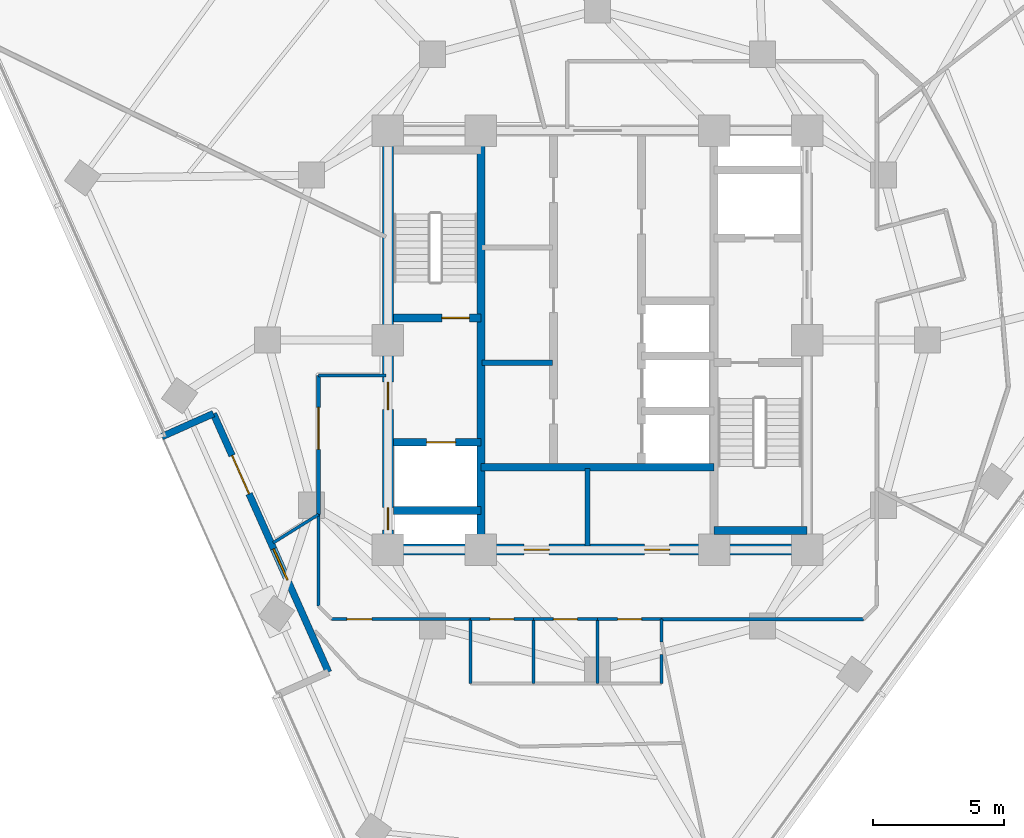
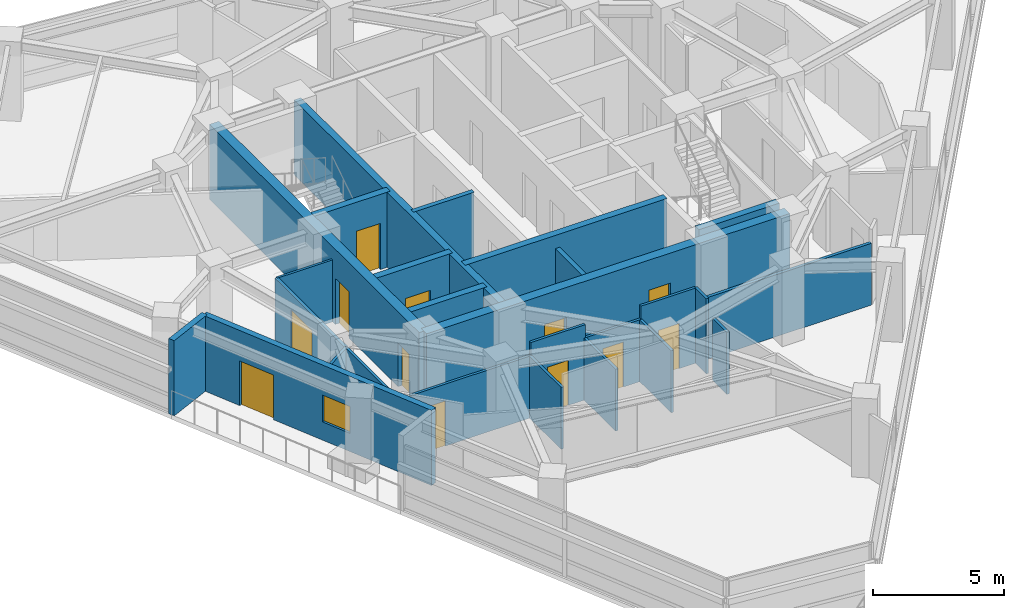
# One storey, part 8 of 14: 26 walls, 12 doors, 1 window, 13 openings.
"""IFC4 building model written with IfcOpenShell, lengths in metres."""

import ifcopenshell
import ifcopenshell.guid

model = None  # the IFC model being written
_history = None  # IfcOwnerHistory: only IFC2X3 demands one
_inside = {}  # id of a spatial element -> (the spatial element, [elements in it])
_under = {}  # id of a project, library or spatial element -> (it, [spatial elements below it])
_declared = {}  # id of a project -> (the project, [libraries it declares])
_typed = {}  # id of a type object -> (the type object, [elements of that type])
_made_of = {}  # id of a material, layer set ... -> (it, [elements and type objects made of it])


def new_model(schema):
    """Start an empty IFC model of exactly this schema.

    Asked for "IFC4X3", IfcOpenShell would pick the latest addendum, in which some entities
    have other attributes; the version numbers below select the first issue.
    IFC2X3 requires an IfcOwnerHistory on every rooted entity: one is made here for all.
    """
    global model, _history
    if schema == "IFC4X3":
        model = ifcopenshell.file(schema_version=(4, 3, 0, 0))
    else:
        model = ifcopenshell.file(schema=schema)
    _inside.clear()
    _under.clear()
    _declared.clear()
    _typed.clear()
    _made_of.clear()
    _history = None
    if model.schema == "IFC2X3":
        org = make("IfcOrganization", Name="unknown")
        user = make(
            "IfcPersonAndOrganization",
            ThePerson=make("IfcPerson", FamilyName="unknown"),
            TheOrganization=org,
        )
        app = make(
            "IfcApplication",
            ApplicationDeveloper=org,
            Version="unknown",
            ApplicationFullName="unknown",
            ApplicationIdentifier="unknown",
        )
        _history = make(
            "IfcOwnerHistory",
            OwningUser=user,
            OwningApplication=app,
            ChangeAction="ADDED",
            CreationDate=0,
        )
    return model


def make(cls, **values):
    """One entity of the class cls with the attributes given. An attribute that is None is left unset."""
    return model.create_entity(
        cls, **{name: value for name, value in values.items() if value is not None}
    )


def rooted(cls, **values):
    """An entity with a GlobalId (a new one), such as an element, a storey or a relation."""
    return make(cls, GlobalId=ifcopenshell.guid.new(), OwnerHistory=_history, **values)


def si_unit(unit_type, name, prefix=None):
    """IfcSIUnit, for example si_unit("LENGTHUNIT", "METRE", prefix="MILLI")."""
    return make("IfcSIUnit", UnitType=unit_type, Prefix=prefix, Name=name)


def assignment(units):
    """IfcUnitAssignment: the units of a project."""
    return None if units is None else make("IfcUnitAssignment", Units=units)


def point(xyz):
    """IfcCartesianPoint."""
    return None if xyz is None else make("IfcCartesianPoint", Coordinates=xyz)


def direction(xyz):
    """IfcDirection."""
    return None if xyz is None else make("IfcDirection", DirectionRatios=xyz)


def frame(location, z_axis=None, x_axis=None):
    """IfcAxis2Placement3D, a coordinate frame: its origin and axes. An axis left out is left unset."""
    return make(
        "IfcAxis2Placement3D",
        Location=point(location),
        Axis=direction(z_axis),
        RefDirection=direction(x_axis),
    )


def frame_2d(location, x_axis=None):
    """IfcAxis2Placement2D, a coordinate frame in the plane: its origin and x axis."""
    return make(
        "IfcAxis2Placement2D", Location=point(location), RefDirection=direction(x_axis)
    )


def origin():
    """The frame at (0, 0, 0) with its axes left unset."""
    return frame((0.0, 0.0, 0.0))


def place(relative_to, where):
    """IfcLocalPlacement: puts the frame where relative to a parent placement (None: the world)."""
    return make(
        "IfcLocalPlacement", PlacementRelTo=relative_to, RelativePlacement=where
    )


def context(
    kind, dimensions, precision=None, world=None, true_north=None, identifier=None
):
    """IfcGeometricRepresentationContext, for example the 3D "Model" context."""
    return make(
        "IfcGeometricRepresentationContext",
        ContextIdentifier=identifier,
        ContextType=kind,
        CoordinateSpaceDimension=dimensions,
        Precision=precision,
        WorldCoordinateSystem=world,
        TrueNorth=true_north,
    )


def subcontext(parent, identifier, kind, view, scale=None):
    """IfcGeometricRepresentationSubContext, for example "Body" below "Model"."""
    return make(
        "IfcGeometricRepresentationSubContext",
        ContextIdentifier=identifier,
        ContextType=kind,
        ParentContext=parent,
        TargetScale=scale,
        TargetView=view,
    )


def project(units=None, contexts=None):
    """IfcProject with its units and contexts."""
    return rooted(
        "IfcProject",
        Name="project",
        RepresentationContexts=contexts,
        UnitsInContext=assignment(units),
    )


def spatial(cls, under=None, at=None, **own):
    """A site, building, storey or space (cls), placed at a placement, below another one or the project."""
    s = rooted(cls, ObjectPlacement=at, **own)
    if under is not None:
        _under.setdefault(under.id(), (under, []))[1].append(s)
    return s


def profile(cls, at=None, kind="AREA", **sizes):
    """A parametric profile (cls). Its sizes go by their IFC names, for example OverallWidth=200.0."""
    return make(cls, ProfileType=kind, Position=at, **sizes)


def rectangle(**sizes):
    """IfcRectangleProfileDef."""
    return profile("IfcRectangleProfileDef", **sizes)


def extrude(swept, where, along, depth):
    """IfcExtrudedAreaSolid: the profile swept, set in the frame where, extruded along a direction by depth."""
    return make(
        "IfcExtrudedAreaSolid",
        SweptArea=swept,
        Position=where,
        ExtrudedDirection=direction(along),
        Depth=depth,
    )


def shape(context_of_items, identifier, shape_type, items):
    """IfcShapeRepresentation: the items that make up one representation, for example the "Body"."""
    return make(
        "IfcShapeRepresentation",
        ContextOfItems=context_of_items,
        RepresentationIdentifier=identifier,
        RepresentationType=shape_type,
        Items=items,
    )


def material(Name=None, Category=None):
    """IfcMaterial."""
    return make("IfcMaterial", Name=Name, Category=Category)


def layer(
    of_material, thickness, ventilated=None, Name=None, Category=None, Priority=None
):
    """IfcMaterialLayer: one layer of a wall or slab, of a material (None: an air gap)."""
    return make(
        "IfcMaterialLayer",
        Material=of_material,
        LayerThickness=thickness,
        IsVentilated=ventilated,
        Name=Name,
        Category=Category,
        Priority=Priority,
    )


def layer_set(layers, Name=None):
    """IfcMaterialLayerSet."""
    return make("IfcMaterialLayerSet", MaterialLayers=layers, LayerSetName=Name)


def made_of(thing, what):
    """Note that an element or type object is made of a material, layer set ...; save() writes the relation."""
    if what is not None:
        _made_of.setdefault(what.id(), (what, []))[1].append(thing)
    return thing


def type_object(cls, material=None, **own):
    """A type object (cls), such as IfcWallType, which elements share."""
    return made_of(rooted(cls, **own), material)


def element(
    cls,
    number,
    at=None,
    inside=None,
    cuts=None,
    type_object=None,
    material=None,
    context=None,
    identifier="Body",
    shape_type=None,
    held_by="IfcProductDefinitionShape",
    body=None,
    shapes=None,
    **own,
):
    """One element of the class cls, such as IfcWall. Its Tag is "e" and its number.

    at: its placement. inside: the storey or other place that contains it. cuts: it is an
    opening in that element (IfcRelVoidsElement). A single representation is given by context,
    identifier, shape_type and body (its items); several are given by shapes. held_by: the class
    of the entity that holds the representations. save() writes the other relations.
    """
    e = rooted(cls, Tag="e%d" % number, ObjectPlacement=at, **own)
    if body is not None:
        shapes = [shape(context, identifier, shape_type, body)]
    if shapes is not None:
        e.Representation = make(held_by, Representations=shapes)
    if inside is not None:
        _inside.setdefault(inside.id(), (inside, []))[1].append(e)
    if cuts is not None:
        rooted(
            "IfcRelVoidsElement", RelatingBuildingElement=cuts, RelatedOpeningElement=e
        )
    if type_object is not None:
        _typed.setdefault(type_object.id(), (type_object, []))[1].append(e)
    return made_of(e, material)


def fill(opening, filler):
    """IfcRelFillsElement: the door or window that sits in an opening."""
    return rooted(
        "IfcRelFillsElement",
        RelatingOpeningElement=opening,
        RelatedBuildingElement=filler,
    )


def aggregate(whole, parts):
    """IfcRelAggregates: a whole, such as a stair, and the parts it consists of."""
    return rooted("IfcRelAggregates", RelatingObject=whole, RelatedObjects=parts)


def save(model, path):
    """Write the relations noted so far, then the file.

    IfcRelAggregates (storeys below a building ...), IfcRelContainedInSpatialStructure (elements
    in a storey), IfcRelDefinesByType, IfcRelAssociatesMaterial and IfcRelDeclares: one each for
    every whole, place, type object, material and project.
    """
    for whole, parts in _under.values():
        aggregate(whole, parts)
    for where, things in _inside.values():
        rooted(
            "IfcRelContainedInSpatialStructure",
            RelatedElements=things,
            RelatingStructure=where,
        )
    for kind, things in _typed.values():
        rooted("IfcRelDefinesByType", RelatedObjects=things, RelatingType=kind)
    for what, things in _made_of.values():
        rooted("IfcRelAssociatesMaterial", RelatedObjects=things, RelatingMaterial=what)
    for by, libraries in _declared.values():
        rooted("IfcRelDeclares", RelatingContext=by, RelatedDefinitions=libraries)
    model.write(path)


model = new_model("IFC4")

# Units and contexts
model_context = context("Model", 3, precision=1e-05, world=origin(), true_north=direction((0.0, 1.0)))
body_context = subcontext(model_context, "Body", "Model", "MODEL_VIEW")
ifc_project = project(units=[si_unit("LENGTHUNIT", "METRE"), si_unit("AREAUNIT", "SQUARE_METRE"), si_unit("VOLUMEUNIT", "CUBIC_METRE"), si_unit("PLANEANGLEUNIT", "RADIAN"), si_unit("MASSUNIT", "GRAM", prefix="KILO")], contexts=[model_context])

# Site, building, storey
site_placement = place(None, origin())
site = spatial("IfcSite", under=ifc_project, at=site_placement, CompositionType="ELEMENT")
building_placement = place(site_placement, origin())
building = spatial("IfcBuilding", under=site, at=building_placement, Name="Terralouvre Media Tower", CompositionType="ELEMENT")
storey_placement = place(building_placement, frame((0.0, 0.0, 226.300048828125)))
storey = spatial("IfcBuildingStorey", under=building, at=storey_placement, Name="L58", CompositionType="ELEMENT", Elevation=226.300048828125)

# Wall
ifc_material_1 = material(Name="Concrete C50/60", Category="concrete")
ifc_layer_1 = layer(ifc_material_1, 0.300048828125, Name="Core Internal Shaft Wall CW-300")
ifc_layer_set_1 = layer_set([ifc_layer_1], Name="Concrete C50/60")
wall_type_1 = type_object("IfcWallType", Name="Core Internal Shaft Wall CW-300", PredefinedType="SHEAR", material=ifc_layer_set_1)
wall_1_placement = place(storey_placement, frame((-4.449951171875, -7.7900390625, 0.0), z_axis=(0.0, 0.0, 1.0), x_axis=(0.0, 1.0, 0.0)))
element("IfcWall", 1, at=wall_1_placement, inside=storey, type_object=wall_type_1, Name="L58 Core Shaft Wall SPW", PredefinedType="SHEAR", context=body_context, shape_type="SweptSolid", body=[
    extrude(rectangle(XDim=15.580078125, YDim=0.300048828125, at=frame_2d((7.7900390625, 0.0))), origin(), (0.0, 0.0, 1.0), 3.5),
])

# Wall, opening, door
wall_2_placement = place(storey_placement, frame((-7.7900390625, 0.85009765625, 0.0), z_axis=(0.0, 0.0, 1.0), x_axis=(1.0, 0.0, 0.0)))
wall_2 = element("IfcWall", 2, at=wall_2_placement, inside=storey, type_object=wall_type_1, Name="L58 Core Shaft Wall ST1D", PredefinedType="SHEAR", context=body_context, shape_type="SweptSolid", body=[
    extrude(rectangle(XDim=3.340087890625, YDim=0.300048828125, at=frame_2d((1.669921875, 0.0))), origin(), (0.0, 0.0, 1.0), 3.5),
])
opening_1_placement = place(wall_2_placement, frame((1.85009765625, 0.0, 0.0)))
opening_1 = element("IfcOpeningElement", 3, at=opening_1_placement, cuts=wall_2, Name="Opening FD-01-105X215", PredefinedType="OPENING", context=body_context, shape_type="SweptSolid", body=[
    extrude(rectangle(XDim=1.050048828125, YDim=2.14990234375, at=frame_2d((0.52490234375, 1.074951171875))), frame((0.0, 0.159912109375, 0.0), z_axis=(0.0, -1.0, 0.0), x_axis=(1.0, 0.0, 0.0)), (0.0, 0.0, 1.0), 0.320068359375),
])
ifc_material_2 = material(Name="Galvanised steel fire-resisting leaf", Category="steel")
door_type_1 = type_object("IfcDoorType", Name="Stair and Firefighting Lobby Fire Door FD-01 (1050x2150)", OperationType="NOTDEFINED", PredefinedType="DOOR", material=ifc_material_2)
door_1_placement = place(opening_1_placement, origin())
door_1 = element("IfcDoor", 4, at=door_1_placement, inside=storey, type_object=door_type_1, Name="L58 ST-01 Exit Stair Door", OperationType="SINGLE_SWING_LEFT", OverallHeight=2.14990234375, OverallWidth=1.050048828125, PredefinedType="DOOR", context=body_context, shape_type="SweptSolid", body=[
    extrude(rectangle(XDim=1.050048828125, YDim=2.14990234375, at=frame_2d((0.52490234375, 1.074951171875))), frame((0.0, 0.02490234375, 0.0), z_axis=(0.0, -1.0, 0.0), x_axis=(1.0, 0.0, 0.0)), (0.0, 0.0, 1.0), 0.050048828125),
])
fill(opening_1, door_1)

# Wall
wall_3_placement = place(storey_placement, frame((4.449951171875, -7.260009765625, 0.0), z_axis=(0.0, 0.0, 1.0), x_axis=(1.0, 0.0, 0.0)))
element("IfcWall", 5, at=wall_3_placement, inside=storey, type_object=wall_type_1, Name="L58 Core Shaft Wall ST2F", PredefinedType="SHEAR", context=body_context, shape_type="SweptSolid", body=[
    extrude(rectangle(XDim=3.550048828125, YDim=0.300048828125, at=frame_2d((1.77490234375, 0.0))), origin(), (0.0, 0.0, 1.0), 3.5),
])

# Wall, opening, door
wall_4_placement = place(storey_placement, frame((-7.7900390625, -3.89990234375, 0.0), z_axis=(0.0, 0.0, 1.0), x_axis=(1.0, 0.0, 0.0)))
wall_4 = element("IfcWall", 6, at=wall_4_placement, inside=storey, type_object=wall_type_1, Name="L58 Core Shaft Wall FF1N", PredefinedType="SHEAR", context=body_context, shape_type="SweptSolid", body=[
    extrude(rectangle(XDim=3.340087890625, YDim=0.300048828125, at=frame_2d((1.669921875, 0.0))), origin(), (0.0, 0.0, 1.0), 3.5),
])
opening_2_placement = place(wall_4_placement, frame((1.27001953125, 0.0, 0.0)))
opening_2 = element("IfcOpeningElement", 7, at=opening_2_placement, cuts=wall_4, Name="Opening LD-FF", PredefinedType="OPENING", context=body_context, shape_type="SweptSolid", body=[
    extrude(rectangle(XDim=1.10009765625, YDim=2.10009765625, at=frame_2d((0.550048828125, 1.050048828125))), frame((0.0, 0.159912109375, 0.0), z_axis=(0.0, -1.0, 0.0), x_axis=(1.0, 0.0, 0.0)), (0.0, 0.0, 1.0), 0.320068359375),
])
ifc_material_3 = material(Name="Stainless steel 316 handrail and balustrade", Category="steel")
door_type_2 = type_object("IfcDoorType", Name="Firefighting Lift Sliding Landing Door LD-FF", OperationType="SLIDING_TO_LEFT", PredefinedType="DOOR", material=ifc_material_3)
door_2_placement = place(opening_2_placement, origin())
door_2 = element("IfcDoor", 8, at=door_2_placement, inside=storey, type_object=door_type_2, Name="L58 Firefighting Lift FFL-01 Landing Door", OperationType="SLIDING_TO_LEFT", OverallHeight=2.10009765625, OverallWidth=1.10009765625, PredefinedType="DOOR", context=body_context, shape_type="SweptSolid", body=[
    extrude(rectangle(XDim=1.10009765625, YDim=2.10009765625, at=frame_2d((0.550048828125, 1.050048828125))), frame((0.0, 0.02490234375, 0.0), z_axis=(0.0, -1.0, 0.0), x_axis=(1.0, 0.0, 0.0)), (0.0, 0.0, 1.0), 0.050048828125),
])
fill(opening_2, door_2)

# Walls
wall_5_placement = place(storey_placement, frame((-7.7900390625, -6.5, 0.0), z_axis=(0.0, 0.0, 1.0), x_axis=(1.0, 0.0, 0.0)))
element("IfcWall", 9, at=wall_5_placement, inside=storey, type_object=wall_type_1, Name="L58 Core Shaft Wall FF1S", PredefinedType="SHEAR", context=body_context, shape_type="SweptSolid", body=[
    extrude(rectangle(XDim=3.340087890625, YDim=0.300048828125, at=frame_2d((1.669921875, 0.0))), origin(), (0.0, 0.0, 1.0), 3.5),
])
wall_6_placement = place(storey_placement, frame((-4.449951171875, -4.85009765625, 0.0), z_axis=(0.0, 0.0, 1.0), x_axis=(1.0, 0.0, 0.0)))
element("IfcWall", 10, at=wall_6_placement, inside=storey, type_object=wall_type_1, Name="L58 Core Shaft Wall CSBN", PredefinedType="SHEAR", context=body_context, shape_type="SweptSolid", body=[
    extrude(rectangle(XDim=8.89990234375, YDim=0.300048828125, at=frame_2d((4.449951171875, 0.0))), origin(), (0.0, 0.0, 1.0), 3.5),
])

# Wall, openings, doors
ifc_material_4 = material(Name="Concrete C60/75", Category="concrete")
ifc_layer_2 = layer(ifc_material_4, 0.419921875, Name="Core Reinforced Concrete Shear Wall CW-420")
ifc_layer_set_2 = layer_set([ifc_layer_2], Name="Concrete C60/75")
wall_type_2 = type_object("IfcWallType", Name="Core Reinforced Concrete Shear Wall CW-420", PredefinedType="SHEAR", material=ifc_layer_set_2)
wall_7_placement = place(storey_placement, frame((-8.0, -8.0, 0.0), z_axis=(0.0, 0.0, 1.0), x_axis=(0.0, 1.0, 0.0)))
wall_7 = element("IfcWall", 11, at=wall_7_placement, inside=storey, type_object=wall_type_2, Name="L58 W Core Shear Wall", PredefinedType="SHEAR", context=body_context, shape_type="SweptSolid", body=[
    extrude(rectangle(XDim=16.0, YDim=0.419921875, at=frame_2d((8.0, 0.0))), origin(), (0.0, 0.0, 1.0), 3.5),
])
opening_3_placement = place(wall_7_placement, frame((0.76123046875, 0.0, 0.0)))
opening_3 = element("IfcOpeningElement", 12, at=opening_3_placement, cuts=wall_7, Name="Opening TD-R1", PredefinedType="OPENING", context=body_context, shape_type="SweptSolid", body=[
    extrude(rectangle(XDim=0.85009765625, YDim=2.02001953125, at=frame_2d((0.425048828125, 1.010009765625))), frame((0.0, 0.219970703125, 0.0), z_axis=(0.0, -1.0, 0.0), x_axis=(1.0, 0.0, 0.0)), (0.0, 0.0, 1.0), 0.43994140625),
])
opening_4_placement = place(wall_7_placement, frame((5.35009765625, 0.0, 0.0)))
opening_4 = element("IfcOpeningElement", 13, at=opening_4_placement, cuts=wall_7, Name="Opening FD-01-105X215", PredefinedType="OPENING", context=body_context, shape_type="SweptSolid", body=[
    extrude(rectangle(XDim=1.050048828125, YDim=2.14990234375, at=frame_2d((0.52490234375, 1.074951171875))), frame((0.0, 0.219970703125, 0.0), z_axis=(0.0, -1.0, 0.0), x_axis=(1.0, 0.0, 0.0)), (0.0, 0.0, 1.0), 0.43994140625),
])
ifc_material_5 = material(Name="Galvanised steel fire-resisting leaf", Category="steel")
door_type_3 = type_object("IfcDoorType", Name="Riser Inspection Access Trapdoor TD-R1", OperationType="NOTDEFINED", PredefinedType="TRAPDOOR", material=ifc_material_5)
door_3_placement = place(opening_3_placement, origin())
door_3 = element("IfcDoor", 14, at=door_3_placement, inside=storey, type_object=door_type_3, Name="L58 Wet Riser Access Trapdoor", OperationType="SINGLE_SWING_LEFT", OverallHeight=2.02001953125, OverallWidth=0.85009765625, PredefinedType="TRAPDOOR", context=body_context, shape_type="SweptSolid", body=[
    extrude(rectangle(XDim=0.85009765625, YDim=2.02001953125, at=frame_2d((0.425048828125, 1.010009765625))), frame((0.0, 0.02490234375, 0.0), z_axis=(0.0, -1.0, 0.0), x_axis=(1.0, 0.0, 0.0)), (0.0, 0.0, 1.0), 0.050048828125),
])
fill(opening_3, door_3)
door_4_placement = place(opening_4_placement, origin())
door_4 = element("IfcDoor", 15, at=door_4_placement, inside=storey, type_object=door_type_1, Name="L58 West Firefighting Lobby Entry Door", OperationType="SINGLE_SWING_RIGHT", OverallHeight=2.14990234375, OverallWidth=1.050048828125, PredefinedType="DOOR", context=body_context, shape_type="SweptSolid", body=[
    extrude(rectangle(XDim=1.050048828125, YDim=2.14990234375, at=frame_2d((0.52490234375, 1.074951171875))), frame((0.0, 0.02490234375, 0.0), z_axis=(0.0, -1.0, 0.0), x_axis=(1.0, 0.0, 0.0)), (0.0, 0.0, 1.0), 0.050048828125),
])
fill(opening_4, door_4)

wall_8_placement = place(storey_placement, frame((-8.0, -8.0, 0.0), z_axis=(0.0, 0.0, 1.0), x_axis=(1.0, 0.0, 0.0)))
wall_8 = element("IfcWall", 16, at=wall_8_placement, inside=storey, type_object=wall_type_2, Name="L58 S Core Shear Wall", PredefinedType="SHEAR", context=body_context, shape_type="SweptSolid", body=[
    extrude(rectangle(XDim=16.0, YDim=0.419921875, at=frame_2d((8.0, 0.0))), origin(), (0.0, 0.0, 1.0), 3.5),
])
opening_5_placement = place(wall_8_placement, frame((5.199951171875, 0.0, 0.0)))
opening_5 = element("IfcOpeningElement", 17, at=opening_5_placement, cuts=wall_8, Name="Opening FD-02-95X210", PredefinedType="OPENING", context=body_context, shape_type="SweptSolid", body=[
    extrude(rectangle(XDim=0.949951171875, YDim=2.10009765625, at=frame_2d((0.47509765625, 1.050048828125))), frame((0.0, 0.219970703125, 0.0), z_axis=(0.0, -1.0, 0.0), x_axis=(1.0, 0.0, 0.0)), (0.0, 0.0, 1.0), 0.43994140625),
])
opening_6_placement = place(wall_8_placement, frame((9.800048828125, 0.0, 0.0)))
opening_6 = element("IfcOpeningElement", 18, at=opening_6_placement, cuts=wall_8, Name="Opening FD-02-95X210", PredefinedType="OPENING", context=body_context, shape_type="SweptSolid", body=[
    extrude(rectangle(XDim=0.949951171875, YDim=2.10009765625, at=frame_2d((0.47509765625, 1.050048828125))), frame((0.0, 0.219970703125, 0.0), z_axis=(0.0, -1.0, 0.0), x_axis=(1.0, 0.0, 0.0)), (0.0, 0.0, 1.0), 0.43994140625),
])
ifc_material_6 = material(Name="Galvanised steel fire-resisting leaf", Category="steel")
door_type_4 = type_object("IfcDoorType", Name="Plant and Riser Fire Door FD-02 (950x2100)", OperationType="NOTDEFINED", PredefinedType="DOOR", material=ifc_material_6)
door_5_placement = place(opening_5_placement, origin())
door_5 = element("IfcDoor", 19, at=door_5_placement, inside=storey, type_object=door_type_4, Name="L58 Core Valve Plant Door", OperationType="SINGLE_SWING_LEFT", OverallHeight=2.10009765625, OverallWidth=0.949951171875, PredefinedType="DOOR", context=body_context, shape_type="SweptSolid", body=[
    extrude(rectangle(XDim=0.949951171875, YDim=2.10009765625, at=frame_2d((0.47509765625, 1.050048828125))), frame((0.0, 0.02490234375, 0.0), z_axis=(0.0, -1.0, 0.0), x_axis=(1.0, 0.0, 0.0)), (0.0, 0.0, 1.0), 0.050048828125),
])
fill(opening_5, door_5)
door_6_placement = place(opening_6_placement, origin())
door_6 = element("IfcDoor", 20, at=door_6_placement, inside=storey, type_object=door_type_4, Name="L58 Core MDF Plant Door", OperationType="SINGLE_SWING_RIGHT", OverallHeight=2.10009765625, OverallWidth=0.949951171875, PredefinedType="DOOR", context=body_context, shape_type="SweptSolid", body=[
    extrude(rectangle(XDim=0.949951171875, YDim=2.10009765625, at=frame_2d((0.47509765625, 1.050048828125))), frame((0.0, 0.02490234375, 0.0), z_axis=(0.0, -1.0, 0.0), x_axis=(1.0, 0.0, 0.0)), (0.0, 0.0, 1.0), 0.050048828125),
])
fill(opening_6, door_6)

# Walls
ifc_material_7 = material(Name="Low-iron laminated double glazing with solar-control coating", Category="glass")
ifc_layer_3 = layer(ifc_material_7, 0.10009765625, Name="Demountable Glazed Office Partition PT-GL100")
ifc_layer_set_3 = layer_set([ifc_layer_3], Name="Low-iron laminated double glazing with solar-control coating")
wall_type_3 = type_object("IfcWallType", Name="Demountable Glazed Office Partition PT-GL100", PredefinedType="MOVABLE", material=ifc_layer_set_3)
wall_9_placement = place(storey_placement, frame((-8.080078125, -1.35009765625, 0.0), z_axis=(0.0, 0.0, 1.0), x_axis=(-1.0, 0.0, 0.0)))
element("IfcWall", 21, at=wall_9_placement, inside=storey, type_object=wall_type_3, Name="L58 Interior Partition 019", PredefinedType="MOVABLE", context=body_context, shape_type="SweptSolid", body=[
    extrude(rectangle(XDim=2.56982421875, YDim=0.10009765625, at=frame_2d((1.284912109375, 0.0))), origin(), (0.0, 0.0, 1.0), 2.885009765625),
])
ifc_material_8 = material(Name="Fire-rated gypsum board drywall partition")
ifc_layer_4 = layer(ifc_material_8, 0.199951171875, Name="Fire-Rated Shaft and Lobby Partition FW-200")
ifc_layer_set_4 = layer_set([ifc_layer_4], Name="Fire-rated gypsum board drywall partition")
wall_type_4 = type_object("IfcWallType", Name="Fire-Rated Shaft and Lobby Partition FW-200", PredefinedType="SOLIDWALL", material=ifc_layer_set_4)
wall_10_placement = place(storey_placement, frame((-0.3798828125, -7.85009765625, 0.0), z_axis=(0.0, 0.0, 1.0), x_axis=(0.0, 1.0, 0.0)))
element("IfcWall", 22, at=wall_10_placement, inside=storey, type_object=wall_type_4, Name="L58 Core Service Bay Partition 1", PredefinedType="SOLIDWALL", context=body_context, shape_type="SweptSolid", body=[
    extrude(rectangle(XDim=2.9501953125, YDim=0.199951171875, at=frame_2d((1.47509765625, 0.0))), origin(), (0.0, 0.0, 1.0), 2.885009765625),
])
wall_11_placement = place(storey_placement, frame((-4.39990234375, -0.860107421875, 0.0), z_axis=(0.0, 0.0, 1.0), x_axis=(1.0, 0.0, 0.0)))
element("IfcWall", 23, at=wall_11_placement, inside=storey, type_object=wall_type_4, Name="L58 Core West Sub-Partition 1", PredefinedType="SOLIDWALL", context=body_context, shape_type="SweptSolid", body=[
    extrude(rectangle(XDim=2.679931640625, YDim=0.199951171875, at=frame_2d((1.33984375, 0.0))), origin(), (0.0, 0.0, 1.0), 3.5),
])
ifc_material_9 = material(Name="Fire-rated gypsum board drywall partition")
ifc_layer_5 = layer(ifc_material_9, 0.135009765625, Name="Newsroom Acoustic Partition PT-135")
ifc_layer_set_5 = layer_set([ifc_layer_5], Name="Fire-rated gypsum board drywall partition")
wall_type_5 = type_object("IfcWallType", Name="Newsroom Acoustic Partition PT-135", PredefinedType="PARTITIONING", material=ifc_layer_set_5)
wall_12_placement = place(storey_placement, frame((2.449951171875, -10.64990234375, 0.0), z_axis=(0.0, 0.0, 1.0), x_axis=(1.0, 0.0, 0.0)))
element("IfcWall", 24, at=wall_12_placement, inside=storey, type_object=wall_type_5, Name="L58 Interior Partition 012", PredefinedType="PARTITIONING", context=body_context, shape_type="SweptSolid", body=[
    extrude(rectangle(XDim=7.699951171875, YDim=0.135009765625, at=frame_2d((3.85009765625, 0.0))), origin(), (0.0, 0.0, 1.0), 2.885009765625),
])

# Wall, opening, door
wall_13_placement = place(storey_placement, frame((-10.64990234375, -1.35009765625, 0.0), z_axis=(0.0, 0.0, 1.0), x_axis=(0.0, -1.0, 0.0)))
wall_13 = element("IfcWall", 25, at=wall_13_placement, inside=storey, type_object=wall_type_5, Name="L58 Interior Partition 020", PredefinedType="PARTITIONING", context=body_context, shape_type="SweptSolid", body=[
    extrude(rectangle(XDim=5.304931640625, YDim=0.135009765625, at=frame_2d((2.65234375, 0.0))), origin(), (0.0, 0.0, 1.0), 2.885009765625),
])
opening_7_placement = place(wall_13_placement, frame((1.2158203125, 0.0, 0.0)))
opening_7 = element("IfcOpeningElement", 26, at=opening_7_placement, cuts=wall_13, Name="Opening ID-04-160X215", PredefinedType="OPENING", context=body_context, shape_type="SweptSolid", body=[
    extrude(rectangle(XDim=1.60009765625, YDim=2.14990234375, at=frame_2d((0.800048828125, 1.074951171875))), frame((0.0, 0.077392578125, 0.0), z_axis=(0.0, -1.0, 0.0), x_axis=(1.0, 0.0, 0.0)), (0.0, 0.0, 1.0), 0.155029296875),
])
ifc_material_10 = material(Name="Engineered hardwood acoustic timber leaf", Category="wood")
door_type_5 = type_object("IfcDoorType", Name="Conference Double Acoustic Door ID-04 (1600x2150)", OperationType="DOUBLE_DOOR_SINGLE_SWING", PredefinedType="DOOR", material=ifc_material_10)
door_7_placement = place(opening_7_placement, origin())
door_7 = element("IfcDoor", 27, at=door_7_placement, inside=storey, type_object=door_type_5, Name="L58 Network Executive Boardroom 9 Door", OperationType="DOUBLE_DOOR_SINGLE_SWING", OverallHeight=2.14990234375, OverallWidth=1.60009765625, PredefinedType="DOOR", context=body_context, shape_type="SweptSolid", body=[
    extrude(rectangle(XDim=1.60009765625, YDim=2.14990234375, at=frame_2d((0.800048828125, 1.074951171875))), frame((0.0, 0.02490234375, 0.0), z_axis=(0.0, -1.0, 0.0), x_axis=(1.0, 0.0, 0.0)), (0.0, 0.0, 1.0), 0.050048828125),
])
fill(opening_7, door_7)

# Wall, openings, window, door
ifc_material_11 = material(Name="Kiln-fired architectural terracotta rainscreen cladding", Category="masonry")
ifc_layer_6 = layer(ifc_material_11, 0.260009765625, Name="Recessed Sky-Garden Acoustic Wall EW-SG260")
ifc_layer_set_6 = layer_set([ifc_layer_6], Name="Kiln-fired architectural terracotta rainscreen cladding")
wall_type_6 = type_object("IfcWallType", Name="Recessed Sky-Garden Acoustic Wall EW-SG260", PredefinedType="SOLIDWALL", material=ifc_layer_set_6)
wall_14_placement = place(storey_placement, frame((-14.6611328125, -2.8056640625, 0.0), z_axis=(0.0, 0.0, 1.0), x_axis=(0.406736136359, -0.913545683247, 0.0)))
wall_14 = element("IfcWall", 28, at=wall_14_placement, inside=storey, type_object=wall_type_6, Name="L58 SG Recessed Loggia Back Wall", PredefinedType="SOLIDWALL", context=body_context, shape_type="SweptSolid", body=[
    extrude(rectangle(XDim=10.80029296875, YDim=0.260009765625, at=frame_2d((5.400146484375, 0.0))), origin(), (0.0, 0.0, 1.0), 3.5),
])
opening_8_placement = place(wall_14_placement, frame((1.75, 0.0, 0.0)))
opening_8 = element("IfcOpeningElement", 29, at=opening_8_placement, cuts=wall_14, Name="Opening TD-01", PredefinedType="OPENING", context=body_context, shape_type="SweptSolid", body=[
    extrude(rectangle(XDim=1.60009765625, YDim=2.080078125, at=frame_2d((0.800048828125, 1.0400390625))), frame((0.0, 0.139892578125, 0.0), z_axis=(0.0, -1.0, 0.0), x_axis=(1.0, 0.0, 0.0)), (0.0, 0.0, 1.0), 0.280029296875),
])
opening_9_placement = place(wall_14_placement, frame((5.64990234375, 0.0, 0.85009765625)))
opening_9 = element("IfcOpeningElement", 30, at=opening_9_placement, cuts=wall_14, Name="Opening W-03", PredefinedType="OPENING", context=body_context, shape_type="SweptSolid", body=[
    extrude(rectangle(XDim=1.300048828125, YDim=1.25, at=frame_2d((0.64990234375, 0.625))), frame((0.0, 0.139892578125, 0.0), z_axis=(0.0, -1.0, 0.0), x_axis=(1.0, 0.0, 0.0)), (0.0, 0.0, 1.0), 0.280029296875),
])
ifc_material_12 = material(Name="Low-iron laminated double glazing with solar-control coating", Category="glass")
window_type = type_object("IfcWindowType", Name="Sky-Garden Loggia Window W-03", PartitioningType="SINGLE_PANEL", PredefinedType="WINDOW", material=ifc_material_12)
window_placement = place(opening_9_placement, origin())
window = element("IfcWindow", 31, at=window_placement, inside=storey, type_object=window_type, Name="L58 Pocket Loggia Window 1", OverallHeight=1.25, OverallWidth=1.300048828125, PartitioningType="SINGLE_PANEL", PredefinedType="WINDOW", context=body_context, shape_type="SweptSolid", body=[
    extrude(rectangle(XDim=1.300048828125, YDim=1.25, at=frame_2d((0.64990234375, 0.625))), frame((0.0, 0.030029296875, 0.0), z_axis=(0.0, -1.0, 0.0), x_axis=(1.0, 0.0, 0.0)), (0.0, 0.0, 1.0), 0.06005859375),
])
fill(opening_9, window)
ifc_material_13 = material(Name="Anodised extruded aluminium 6063-T6", Category="aluminium")
door_type_6 = type_object("IfcDoorType", Name="Sky-Garden Terrace Double Door TD-01", OperationType="DOUBLE_DOOR_SLIDING", PredefinedType="DOOR", material=ifc_material_13)
door_8_placement = place(opening_8_placement, frame((1.60009765625, 0.0, 0.0), z_axis=(0.0, 0.0, 1.0), x_axis=(-1.0, 0.0, 0.0)))
door_8 = element("IfcDoor", 32, at=door_8_placement, inside=storey, type_object=door_type_6, Name="L58 Sky-Garden Terrace Door", OperationType="DOUBLE_DOOR_SLIDING", OverallHeight=2.080078125, OverallWidth=1.60009765625, PredefinedType="DOOR", context=body_context, shape_type="SweptSolid", body=[
    extrude(rectangle(XDim=1.60009765625, YDim=2.080078125, at=frame_2d((0.800048828125, 1.0400390625))), frame((0.0, 0.02490234375, 0.0), z_axis=(0.0, -1.0, 0.0), x_axis=(1.0, 0.0, 0.0)), (0.0, 0.0, 1.0), 0.050048828125),
])
fill(opening_8, door_8)

# Walls
wall_15_placement = place(storey_placement, frame((-16.625244140625, -3.68017578125, 0.0), z_axis=(0.0, 0.0, 1.0), x_axis=(0.913539751874, 0.406749458199, 0.0)))
element("IfcWall", 33, at=wall_15_placement, inside=storey, type_object=wall_type_6, Name="L58 SG Pocket Left Cheek Wall", PredefinedType="SOLIDWALL", context=body_context, shape_type="SweptSolid", body=[
    extrude(rectangle(XDim=2.14990234375, YDim=0.260009765625, at=frame_2d((1.074951171875, 0.0))), origin(), (0.0, 0.0, 1.0), 3.5),
])
ifc_material_14 = material(Name="Fire-rated gypsum board drywall partition")
ifc_layer_7 = layer(ifc_material_14, 0.114990234375, Name="Restroom and Pantry Partition PT-115")
ifc_layer_set_7 = layer_set([ifc_layer_7], Name="Fire-rated gypsum board drywall partition")
wall_type_7 = type_object("IfcWallType", Name="Restroom and Pantry Partition PT-115", PredefinedType="PARTITIONING", material=ifc_layer_set_7)
wall_16_placement = place(storey_placement, frame((-10.64990234375, -6.655029296875, 0.0), z_axis=(0.0, 0.0, 1.0), x_axis=(0.0, -1.0, 0.0)))
element("IfcWall", 34, at=wall_16_placement, inside=storey, type_object=wall_type_7, Name="L58 Interior Partition 006", PredefinedType="PARTITIONING", context=body_context, shape_type="SweptSolid", body=[
    extrude(rectangle(XDim=3.494873046875, YDim=0.114990234375, at=frame_2d((1.74755859375, 0.0))), origin(), (0.0, 0.0, 1.0), 2.885009765625),
])

# Wall, opening, door
wall_17_placement = place(storey_placement, frame((-10.14990234375, -10.64990234375, 0.0), z_axis=(0.0, 0.0, 1.0), x_axis=(1.0, 0.0, 0.0)))
wall_17 = element("IfcWall", 35, at=wall_17_placement, inside=storey, type_object=wall_type_7, Name="L58 Interior Partition 008", PredefinedType="PARTITIONING", context=body_context, shape_type="SweptSolid", body=[
    extrude(rectangle(XDim=5.2998046875, YDim=0.114990234375, at=frame_2d((2.64990234375, 0.0))), origin(), (0.0, 0.0, 1.0), 2.885009765625),
])
opening_10_placement = place(wall_17_placement, frame((0.5849609375, 0.0, 0.0)))
opening_10 = element("IfcOpeningElement", 36, at=opening_10_placement, cuts=wall_17, Name="Opening SD-01-95X210", PredefinedType="OPENING", context=body_context, shape_type="SweptSolid", body=[
    extrude(rectangle(XDim=0.949951171875, YDim=2.10009765625, at=frame_2d((0.47509765625, 1.050048828125))), frame((0.0, 0.0673828125, 0.0), z_axis=(0.0, -1.0, 0.0), x_axis=(1.0, 0.0, 0.0)), (0.0, 0.0, 1.0), 0.135009765625),
])
ifc_material_15 = material(Name="Anodised extruded aluminium 6063-T6", Category="aluminium")
door_type_7 = type_object("IfcDoorType", Name="Pantry Pocket Sliding Door SD-01 (950x2100)", OperationType="SLIDING_TO_LEFT", PredefinedType="DOOR", material=ifc_material_15)
door_9_placement = place(opening_10_placement, origin())
door_9 = element("IfcDoor", 37, at=door_9_placement, inside=storey, type_object=door_type_7, Name="L58 Board Catering Kitchen 2 Door", OperationType="SLIDING_TO_LEFT", OverallHeight=2.10009765625, OverallWidth=0.949951171875, PredefinedType="DOOR", context=body_context, shape_type="SweptSolid", body=[
    extrude(rectangle(XDim=0.949951171875, YDim=2.10009765625, at=frame_2d((0.47509765625, 1.050048828125))), frame((0.0, 0.02490234375, 0.0), z_axis=(0.0, -1.0, 0.0), x_axis=(1.0, 0.0, 0.0)), (0.0, 0.0, 1.0), 0.050048828125),
])
fill(opening_10, door_9)

wall_18_placement = place(storey_placement, frame((-4.85009765625, -10.64990234375, 0.0), z_axis=(0.0, 0.0, 1.0), x_axis=(1.0, 0.0, 0.0)))
wall_18 = element("IfcWall", 38, at=wall_18_placement, inside=storey, type_object=wall_type_7, Name="L58 Interior Partition 009", PredefinedType="PARTITIONING", context=body_context, shape_type="SweptSolid", body=[
    extrude(rectangle(XDim=2.400146484375, YDim=0.114990234375, at=frame_2d((1.2001953125, 0.0))), origin(), (0.0, 0.0, 1.0), 3.5),
])
opening_11_placement = place(wall_18_placement, frame((0.739990234375, 0.0, 0.0)))
opening_11 = element("IfcOpeningElement", 39, at=opening_11_placement, cuts=wall_18, Name="Opening ID-03-92X210", PredefinedType="OPENING", context=body_context, shape_type="SweptSolid", body=[
    extrude(rectangle(XDim=0.919921875, YDim=2.10009765625, at=frame_2d((0.4599609375, 1.050048828125))), frame((0.0, 0.0673828125, 0.0), z_axis=(0.0, -1.0, 0.0), x_axis=(1.0, 0.0, 0.0)), (0.0, 0.0, 1.0), 0.135009765625),
])
ifc_material_16 = material(Name="Engineered hardwood acoustic timber leaf", Category="wood")
door_type_8 = type_object("IfcDoorType", Name="Accessible Restroom and Suite Door ID-03 (920x2100)", OperationType="NOTDEFINED", PredefinedType="DOOR", material=ifc_material_16)
door_10_placement = place(opening_11_placement, origin())
door_10 = element("IfcDoor", 40, at=door_10_placement, inside=storey, type_object=door_type_8, Name="L58 Male Restroom WC Door", OperationType="SINGLE_SWING_RIGHT", OverallHeight=2.10009765625, OverallWidth=0.919921875, PredefinedType="DOOR", context=body_context, shape_type="SweptSolid", body=[
    extrude(rectangle(XDim=0.919921875, YDim=2.10009765625, at=frame_2d((0.4599609375, 1.050048828125))), frame((0.0, 0.02490234375, 0.0), z_axis=(0.0, -1.0, 0.0), x_axis=(1.0, 0.0, 0.0)), (0.0, 0.0, 1.0), 0.050048828125),
])
fill(opening_11, door_10)

wall_19_placement = place(storey_placement, frame((-2.449951171875, -10.64990234375, 0.0), z_axis=(0.0, 0.0, 1.0), x_axis=(1.0, 0.0, 0.0)))
wall_19 = element("IfcWall", 41, at=wall_19_placement, inside=storey, type_object=wall_type_7, Name="L58 Interior Partition 010", PredefinedType="PARTITIONING", context=body_context, shape_type="SweptSolid", body=[
    extrude(rectangle(XDim=2.449951171875, YDim=0.114990234375, at=frame_2d((1.22509765625, 0.0))), origin(), (0.0, 0.0, 1.0), 2.885009765625),
])
opening_12_placement = place(wall_19_placement, frame((0.764892578125, 0.0, 0.0)))
opening_12 = element("IfcOpeningElement", 42, at=opening_12_placement, cuts=wall_19, Name="Opening ID-03-92X210", PredefinedType="OPENING", context=body_context, shape_type="SweptSolid", body=[
    extrude(rectangle(XDim=0.919921875, YDim=2.10009765625, at=frame_2d((0.4599609375, 1.050048828125))), frame((0.0, 0.0673828125, 0.0), z_axis=(0.0, -1.0, 0.0), x_axis=(1.0, 0.0, 0.0)), (0.0, 0.0, 1.0), 0.135009765625),
])
door_11_placement = place(opening_12_placement, origin())
door_11 = element("IfcDoor", 43, at=door_11_placement, inside=storey, type_object=door_type_8, Name="L58 Female Restroom WC Door", OperationType="SINGLE_SWING_LEFT", OverallHeight=2.10009765625, OverallWidth=0.919921875, PredefinedType="DOOR", context=body_context, shape_type="SweptSolid", body=[
    extrude(rectangle(XDim=0.919921875, YDim=2.10009765625, at=frame_2d((0.4599609375, 1.050048828125))), frame((0.0, 0.02490234375, 0.0), z_axis=(0.0, -1.0, 0.0), x_axis=(1.0, 0.0, 0.0)), (0.0, 0.0, 1.0), 0.050048828125),
])
fill(opening_12, door_11)

wall_20_placement = place(storey_placement, frame((0.0, -10.64990234375, 0.0), z_axis=(0.0, 0.0, 1.0), x_axis=(1.0, 0.0, 0.0)))
wall_20 = element("IfcWall", 44, at=wall_20_placement, inside=storey, type_object=wall_type_7, Name="L58 Interior Partition 011", PredefinedType="PARTITIONING", context=body_context, shape_type="SweptSolid", body=[
    extrude(rectangle(XDim=2.449951171875, YDim=0.114990234375, at=frame_2d((1.22509765625, 0.0))), origin(), (0.0, 0.0, 1.0), 3.5),
])
opening_13_placement = place(wall_20_placement, frame((0.764892578125, 0.0, 0.0)))
opening_13 = element("IfcOpeningElement", 45, at=opening_13_placement, cuts=wall_20, Name="Opening ID-03-92X210", PredefinedType="OPENING", context=body_context, shape_type="SweptSolid", body=[
    extrude(rectangle(XDim=0.919921875, YDim=2.10009765625, at=frame_2d((0.4599609375, 1.050048828125))), frame((0.0, 0.0673828125, 0.0), z_axis=(0.0, -1.0, 0.0), x_axis=(1.0, 0.0, 0.0)), (0.0, 0.0, 1.0), 0.135009765625),
])
door_12_placement = place(opening_13_placement, origin())
door_12 = element("IfcDoor", 46, at=door_12_placement, inside=storey, type_object=door_type_8, Name="L58 Accessible Unisex WC Door", OperationType="SINGLE_SWING_RIGHT", OverallHeight=2.10009765625, OverallWidth=0.919921875, PredefinedType="DOOR", context=body_context, shape_type="SweptSolid", body=[
    extrude(rectangle(XDim=0.919921875, YDim=2.10009765625, at=frame_2d((0.4599609375, 1.050048828125))), frame((0.0, 0.02490234375, 0.0), z_axis=(0.0, -1.0, 0.0), x_axis=(1.0, 0.0, 0.0)), (0.0, 0.0, 1.0), 0.050048828125),
])
fill(opening_13, door_12)

# Walls
wall_21_placement = place(storey_placement, frame((-4.85009765625, -13.10009765625, 0.0), z_axis=(0.0, 0.0, 1.0), x_axis=(0.0, 1.0, 0.0)))
element("IfcWall", 47, at=wall_21_placement, inside=storey, type_object=wall_type_7, Name="L58 Interior Partition 027", PredefinedType="PARTITIONING", context=body_context, shape_type="SweptSolid", body=[
    extrude(rectangle(XDim=2.4501953125, YDim=0.114990234375, at=frame_2d((1.22509765625, 0.0))), origin(), (0.0, 0.0, 1.0), 2.885009765625),
])
wall_22_placement = place(storey_placement, frame((2.449951171875, -12.0068359375, 0.0), z_axis=(0.0, 0.0, 1.0), x_axis=(0.0, -1.0, 0.0)))
element("IfcWall", 48, at=wall_22_placement, inside=storey, type_object=wall_type_7, Name="L58 Interior Partition 032", PredefinedType="PARTITIONING", context=body_context, shape_type="SweptSolid", body=[
    extrude(rectangle(XDim=1.09326171875, YDim=0.114990234375, at=frame_2d((0.546630859375, 0.0))), origin(), (0.0, 0.0, 1.0), 2.885009765625),
])
wall_23_placement = place(storey_placement, frame((-10.64990234375, -6.655029296875, 0.0), z_axis=(0.0, 0.0, 1.0), x_axis=(-0.848119384497, -0.529805161962, 0.0)))
element("IfcWall", 49, at=wall_23_placement, inside=storey, type_object=wall_type_7, Name="L58 Interior Partition 035", PredefinedType="PARTITIONING", context=body_context, shape_type="SweptSolid", body=[
    extrude(rectangle(XDim=2.03857421875, YDim=0.114990234375, at=frame_2d((1.019287109375, 0.0))), origin(), (0.0, 0.0, 1.0), 2.885009765625),
])
for number, where, z_axis, x_axis, name in (
    (50, (-2.449951171875, -13.10009765625, 0.0), (0.0, 0.0, 1.0), (0.0, 1.0, 0.0), "L58 Interior Partition 036"),
    (51, (0.0, -13.10009765625, 0.0), (0.0, 0.0, 1.0), (0.0, 1.0, 0.0), "L58 Interior Partition 038"),
):
    element("IfcWall", number, at=place(storey_placement, frame(where, z_axis=z_axis, x_axis=x_axis)), inside=storey, type_object=wall_type_7, Name=name, PredefinedType="PARTITIONING", context=body_context, shape_type="SweptSolid", body=[
        extrude(rectangle(XDim=2.4501953125, YDim=0.114990234375, at=frame_2d((1.22509765625, 0.0))), origin(), (0.0, 0.0, 1.0), 2.885009765625),
    ])
wall_24_placement = place(storey_placement, frame((2.449951171875, -11.52587890625, 0.0), z_axis=(0.0, 0.0, 1.0), x_axis=(0.0, 1.0, 0.0)))
element("IfcWall", 52, at=wall_24_placement, inside=storey, type_object=wall_type_7, Name="L58 Interior Partition 039", PredefinedType="PARTITIONING", context=body_context, shape_type="SweptSolid", body=[
    extrude(rectangle(XDim=0.8759765625, YDim=0.114990234375, at=frame_2d((0.43798828125, 0.0))), origin(), (0.0, 0.0, 1.0), 3.5),
])

save(model, "model.ifc")
